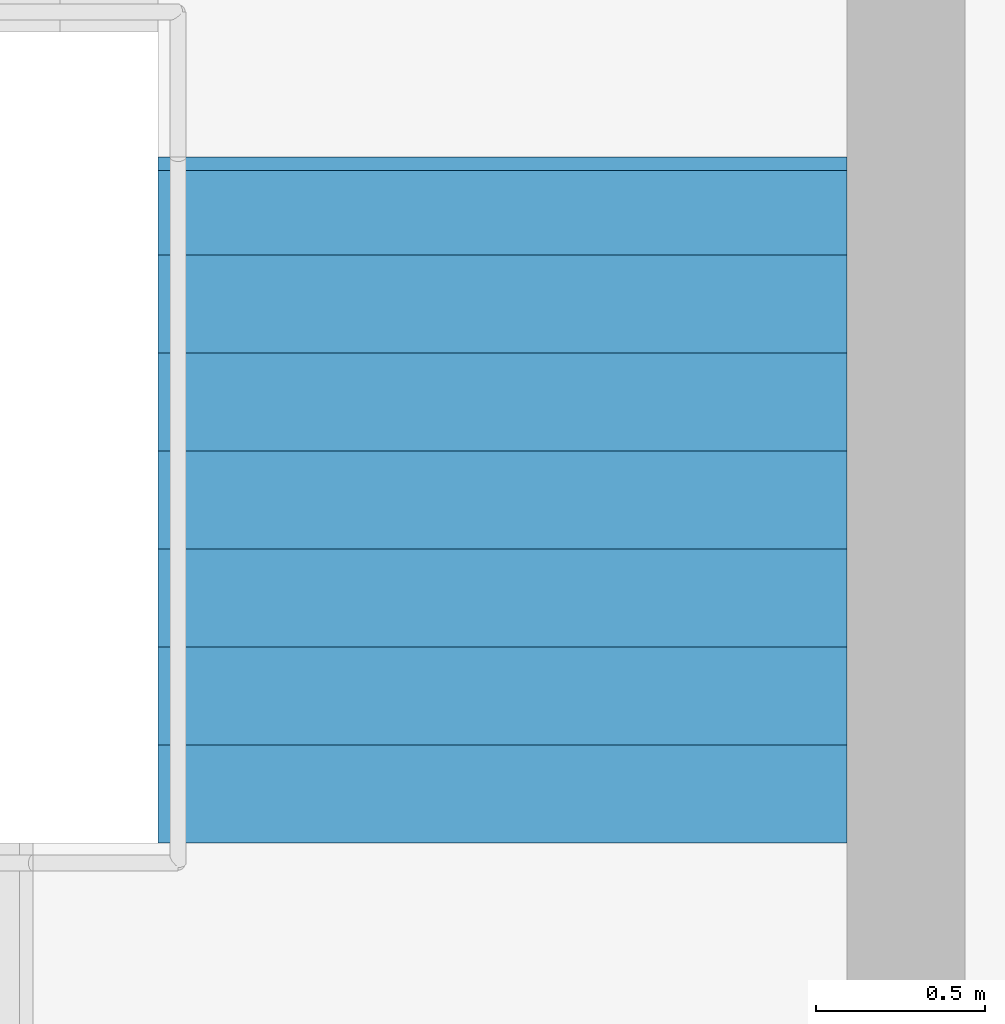
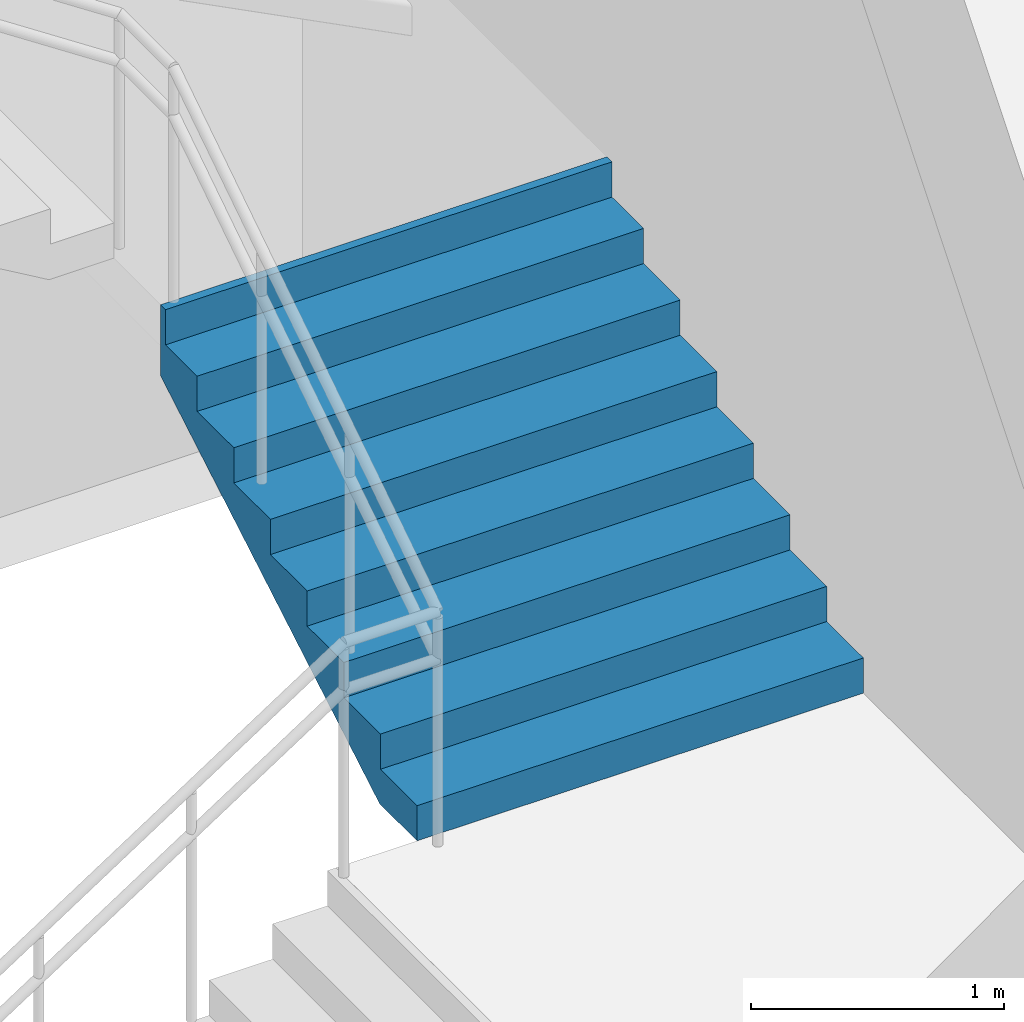
# One storey, part 65 of 67: 1 stair flight, 1 element without a shape of its own.
"""IFC4 building model written with IfcOpenShell, lengths in metres."""

import ifcopenshell
import ifcopenshell.guid

model = None  # the IFC model being written
_history = None  # IfcOwnerHistory: only IFC2X3 demands one
_inside = {}  # id of a spatial element -> (the spatial element, [elements in it])
_under = {}  # id of a project, library or spatial element -> (it, [spatial elements below it])
_declared = {}  # id of a project -> (the project, [libraries it declares])
_typed = {}  # id of a type object -> (the type object, [elements of that type])
_made_of = {}  # id of a material, layer set ... -> (it, [elements and type objects made of it])


def new_model(schema):
    """Start an empty IFC model of exactly this schema.

    Asked for "IFC4X3", IfcOpenShell would pick the latest addendum, in which some entities
    have other attributes; the version numbers below select the first issue.
    IFC2X3 requires an IfcOwnerHistory on every rooted entity: one is made here for all.
    """
    global model, _history
    if schema == "IFC4X3":
        model = ifcopenshell.file(schema_version=(4, 3, 0, 0))
    else:
        model = ifcopenshell.file(schema=schema)
    _inside.clear()
    _under.clear()
    _declared.clear()
    _typed.clear()
    _made_of.clear()
    _history = None
    if model.schema == "IFC2X3":
        org = make("IfcOrganization", Name="unknown")
        user = make(
            "IfcPersonAndOrganization",
            ThePerson=make("IfcPerson", FamilyName="unknown"),
            TheOrganization=org,
        )
        app = make(
            "IfcApplication",
            ApplicationDeveloper=org,
            Version="unknown",
            ApplicationFullName="unknown",
            ApplicationIdentifier="unknown",
        )
        _history = make(
            "IfcOwnerHistory",
            OwningUser=user,
            OwningApplication=app,
            ChangeAction="ADDED",
            CreationDate=0,
        )
    return model


def make(cls, **values):
    """One entity of the class cls with the attributes given. An attribute that is None is left unset."""
    return model.create_entity(
        cls, **{name: value for name, value in values.items() if value is not None}
    )


def rooted(cls, **values):
    """An entity with a GlobalId (a new one), such as an element, a storey or a relation."""
    return make(cls, GlobalId=ifcopenshell.guid.new(), OwnerHistory=_history, **values)


def si_unit(unit_type, name, prefix=None):
    """IfcSIUnit, for example si_unit("LENGTHUNIT", "METRE", prefix="MILLI")."""
    return make("IfcSIUnit", UnitType=unit_type, Prefix=prefix, Name=name)


def assignment(units):
    """IfcUnitAssignment: the units of a project."""
    return None if units is None else make("IfcUnitAssignment", Units=units)


def point(xyz):
    """IfcCartesianPoint."""
    return None if xyz is None else make("IfcCartesianPoint", Coordinates=xyz)


def direction(xyz):
    """IfcDirection."""
    return None if xyz is None else make("IfcDirection", DirectionRatios=xyz)


def frame(location, z_axis=None, x_axis=None):
    """IfcAxis2Placement3D, a coordinate frame: its origin and axes. An axis left out is left unset."""
    return make(
        "IfcAxis2Placement3D",
        Location=point(location),
        Axis=direction(z_axis),
        RefDirection=direction(x_axis),
    )


def origin():
    """The frame at (0, 0, 0) with its axes left unset."""
    return frame((0.0, 0.0, 0.0))


def place(relative_to, where):
    """IfcLocalPlacement: puts the frame where relative to a parent placement (None: the world)."""
    return make(
        "IfcLocalPlacement", PlacementRelTo=relative_to, RelativePlacement=where
    )


def context(
    kind, dimensions, precision=None, world=None, true_north=None, identifier=None
):
    """IfcGeometricRepresentationContext, for example the 3D "Model" context."""
    return make(
        "IfcGeometricRepresentationContext",
        ContextIdentifier=identifier,
        ContextType=kind,
        CoordinateSpaceDimension=dimensions,
        Precision=precision,
        WorldCoordinateSystem=world,
        TrueNorth=true_north,
    )


def subcontext(parent, identifier, kind, view, scale=None):
    """IfcGeometricRepresentationSubContext, for example "Body" below "Model"."""
    return make(
        "IfcGeometricRepresentationSubContext",
        ContextIdentifier=identifier,
        ContextType=kind,
        ParentContext=parent,
        TargetScale=scale,
        TargetView=view,
    )


def project(units=None, contexts=None):
    """IfcProject with its units and contexts."""
    return rooted(
        "IfcProject",
        Name="project",
        RepresentationContexts=contexts,
        UnitsInContext=assignment(units),
    )


def spatial(cls, under=None, at=None, **own):
    """A site, building, storey or space (cls), placed at a placement, below another one or the project."""
    s = rooted(cls, ObjectPlacement=at, **own)
    if under is not None:
        _under.setdefault(under.id(), (under, []))[1].append(s)
    return s


def point_list(points):
    """IfcCartesianPointList2D or 3D."""
    cls = (
        "IfcCartesianPointList2D" if len(points[0]) == 2 else "IfcCartesianPointList3D"
    )
    return make(cls, CoordList=points)


def triangles(points, corners, closed=None, point_numbers=None):
    """IfcTriangulatedFaceSet: each triangle names its three corners, points numbered from 1."""
    return make(
        "IfcTriangulatedFaceSet",
        Coordinates=point_list(points),
        Closed=closed,
        CoordIndex=corners,
        PnIndex=point_numbers,
    )


def shape(context_of_items, identifier, shape_type, items):
    """IfcShapeRepresentation: the items that make up one representation, for example the "Body"."""
    return make(
        "IfcShapeRepresentation",
        ContextOfItems=context_of_items,
        RepresentationIdentifier=identifier,
        RepresentationType=shape_type,
        Items=items,
    )


def material(Name=None, Category=None):
    """IfcMaterial."""
    return make("IfcMaterial", Name=Name, Category=Category)


def made_of(thing, what):
    """Note that an element or type object is made of a material, layer set ...; save() writes the relation."""
    if what is not None:
        _made_of.setdefault(what.id(), (what, []))[1].append(thing)
    return thing


def type_object(cls, material=None, **own):
    """A type object (cls), such as IfcWallType, which elements share."""
    return made_of(rooted(cls, **own), material)


def element(
    cls,
    number,
    at=None,
    inside=None,
    cuts=None,
    type_object=None,
    material=None,
    context=None,
    identifier="Body",
    shape_type=None,
    held_by="IfcProductDefinitionShape",
    body=None,
    shapes=None,
    **own,
):
    """One element of the class cls, such as IfcWall. Its Tag is "e" and its number.

    at: its placement. inside: the storey or other place that contains it. cuts: it is an
    opening in that element (IfcRelVoidsElement). A single representation is given by context,
    identifier, shape_type and body (its items); several are given by shapes. held_by: the class
    of the entity that holds the representations. save() writes the other relations.
    """
    e = rooted(cls, Tag="e%d" % number, ObjectPlacement=at, **own)
    if body is not None:
        shapes = [shape(context, identifier, shape_type, body)]
    if shapes is not None:
        e.Representation = make(held_by, Representations=shapes)
    if inside is not None:
        _inside.setdefault(inside.id(), (inside, []))[1].append(e)
    if cuts is not None:
        rooted(
            "IfcRelVoidsElement", RelatingBuildingElement=cuts, RelatedOpeningElement=e
        )
    if type_object is not None:
        _typed.setdefault(type_object.id(), (type_object, []))[1].append(e)
    return made_of(e, material)


def aggregate(whole, parts):
    """IfcRelAggregates: a whole, such as a stair, and the parts it consists of."""
    return rooted("IfcRelAggregates", RelatingObject=whole, RelatedObjects=parts)


def save(model, path):
    """Write the relations noted so far, then the file.

    IfcRelAggregates (storeys below a building ...), IfcRelContainedInSpatialStructure (elements
    in a storey), IfcRelDefinesByType, IfcRelAssociatesMaterial and IfcRelDeclares: one each for
    every whole, place, type object, material and project.
    """
    for whole, parts in _under.values():
        aggregate(whole, parts)
    for where, things in _inside.values():
        rooted(
            "IfcRelContainedInSpatialStructure",
            RelatedElements=things,
            RelatingStructure=where,
        )
    for kind, things in _typed.values():
        rooted("IfcRelDefinesByType", RelatedObjects=things, RelatingType=kind)
    for what, things in _made_of.values():
        rooted("IfcRelAssociatesMaterial", RelatedObjects=things, RelatingMaterial=what)
    for by, libraries in _declared.values():
        rooted("IfcRelDeclares", RelatingContext=by, RelatedDefinitions=libraries)
    model.write(path)


model = new_model("IFC4")

# Units and contexts
model_context = context("Model", 3, precision=1e-05, world=origin(), true_north=direction((0.0, 1.0)))
body_context = subcontext(model_context, "Body", "Model", "MODEL_VIEW")
ifc_project = project(units=[si_unit("LENGTHUNIT", "METRE"), si_unit("AREAUNIT", "SQUARE_METRE"), si_unit("VOLUMEUNIT", "CUBIC_METRE"), si_unit("PLANEANGLEUNIT", "RADIAN"), si_unit("MASSUNIT", "GRAM", prefix="KILO")], contexts=[model_context])

# Site, building, storey
site_placement = place(None, origin())
site = spatial("IfcSite", under=ifc_project, at=site_placement, CompositionType="ELEMENT")
building_placement = place(site_placement, origin())
building = spatial("IfcBuilding", under=site, at=building_placement, Name="Sillaruma Civic Art Gallery", CompositionType="ELEMENT")
storey_placement = place(building_placement, frame((0.0, 0.0, 46.919921875)))
storey = spatial("IfcBuildingStorey", under=building, at=storey_placement, Name="L09", CompositionType="ELEMENT", Elevation=46.919921875)

# Stair, stair flight
ifc_material = material(Name="Concrete H35 (35 MPa)", Category="concrete")
stair_type = type_object("IfcStairType", Name="STR-4F-30", PredefinedType="USERDEFINED", material=ifc_material)
stair_placement = place(storey_placement, origin())
stair = element("IfcStair", 1, at=stair_placement, inside=storey, type_object=stair_type, Name="Protected Exit Stair ST-02 (West Bar North) (L09)", ObjectType="THREE_RETURN_STAIR", PredefinedType="USERDEFINED")
stair_flight_type = type_object("IfcStairFlightType", Name="SFL-STR-8", PredefinedType="STRAIGHT", material=ifc_material)
stair_flight_placement = place(storey_placement, frame((68.219970703125, 82.949951171875, 1.360107421875), z_axis=(0.0, 0.0, 1.0), x_axis=(0.0, 1.0, 0.0)))
stair_flight = element("IfcStairFlight", 2, at=stair_flight_placement, type_object=stair_flight_type, Name="ST-02 flight 2", NumberOfRisers=8, NumberOfTreads=7, PredefinedType="STRAIGHT", RiserHeight=0.17, TreadLength=0.29, context=body_context, shape_type="Tessellation", body=[
    triangles([(0.0, -1.02001953125, 0.0), (0.29, -1.02001953125, 0.0), (0.296443, -1.02001953125, 0.0), (0.58, -1.02001953125, 0.166223), (0.87, -1.02001953125, 0.336223), (1.16, -1.02001953125, 0.506223), (1.45, -1.02001953125, 0.676223), (1.74, -1.02001953125, 0.846223), (1.990029, -1.02001953125, 0.992792), (2.030029, -1.02001953125, 1.01624), (2.030029, -1.02001953125, 1.36), (1.990029, -1.02001953125, 1.36), (1.990029, -1.02001953125, 1.19), (1.74, -1.02001953125, 1.19), (1.74, -1.02001953125, 1.02), (1.45, -1.02001953125, 1.02), (1.45, -1.02001953125, 0.85), (1.16, -1.02001953125, 0.85), (1.16, -1.02001953125, 0.68), (0.87, -1.02001953125, 0.68), (0.87, -1.02001953125, 0.51), (0.58, -1.02001953125, 0.51), (0.58, -1.02001953125, 0.34), (0.296443, -1.02001953125, 0.34), (0.29, -1.02001953125, 0.34), (0.29, -1.02001953125, 0.17), (0.0, -1.02001953125, 0.17), (0.0, -0.05, 0.0), (0.29, -0.05, 0.0), (0.296443, -0.05, 0.0), (0.58, -0.05, 0.166223), (0.87, -0.05, 0.336223), (1.16, -0.05, 0.506223), (1.45, -0.05, 0.676223), (1.74, -0.05, 0.846223), (1.990029, -0.05, 0.992792), (2.030029, -0.05, 1.01624), (2.030029, -0.05, 1.36), (1.990029, -0.05, 1.36), (1.990029, -0.05, 1.19), (1.74, -0.05, 1.19), (1.74, -0.05, 1.02), (1.45, -0.05, 1.02), (1.45, -0.05, 0.85), (1.16, -0.05, 0.85), (1.16, -0.05, 0.68), (0.87, -0.05, 0.68), (0.87, -0.05, 0.51), (0.58, -0.05, 0.51), (0.58, -0.05, 0.34), (0.296443, -0.05, 0.34), (0.29, -0.05, 0.34), (0.29, -0.05, 0.17), (0.0, -0.05, 0.17), (0.0, -0.0375, 0.0), (0.29, -0.0375, 0.0), (0.296443, -0.0375, 0.0), (0.58, -0.0375, 0.166223), (0.87, -0.0375, 0.336223), (1.16, -0.0375, 0.506223), (1.45, -0.0375, 0.676223), (1.74, -0.0375, 0.846223), (1.990029, -0.0375, 0.992792), (2.030029, -0.0375, 1.01624), (2.030029, -0.0375, 1.36), (1.990029, -0.0375, 1.36), (1.990029, -0.0375, 1.19), (1.74, -0.0375, 1.19), (1.74, -0.0375, 1.02), (1.45, -0.0375, 1.02), (1.45, -0.0375, 0.85), (1.16, -0.0375, 0.85), (1.16, -0.0375, 0.68), (0.87, -0.0375, 0.68), (0.87, -0.0375, 0.51), (0.58, -0.0375, 0.51), (0.58, -0.0375, 0.34), (0.296443, -0.0375, 0.34), (0.29, -0.0375, 0.34), (0.29, -0.0375, 0.17), (0.0, -0.0375, 0.17), (0.0, -0.025, 0.0), (0.29, -0.025, 0.0), (0.296443, -0.025, 0.0), (0.58, -0.025, 0.166223), (0.87, -0.025, 0.336223), (1.16, -0.025, 0.506223), (1.45, -0.025, 0.676223), (1.74, -0.025, 0.846223), (1.990029, -0.025, 0.992792), (2.030029, -0.025, 1.01624), (2.030029, -0.025, 1.36), (1.990029, -0.025, 1.36), (1.990029, -0.025, 1.19), (1.74, -0.025, 1.19), (1.74, -0.025, 1.02), (1.45, -0.025, 1.02), (1.45, -0.025, 0.85), (1.16, -0.025, 0.85), (1.16, -0.025, 0.68), (0.87, -0.025, 0.68), (0.87, -0.025, 0.51), (0.58, -0.025, 0.51), (0.58, -0.025, 0.34), (0.296443, -0.025, 0.34), (0.29, -0.025, 0.34), (0.29, -0.025, 0.17), (0.0, -0.025, 0.17), (0.0, -0.0125, 0.0), (0.29, -0.0125, 0.0), (0.296443, -0.0125, 0.0), (0.58, -0.0125, 0.166223), (0.87, -0.0125, 0.336223), (1.16, -0.0125, 0.506223), (1.45, -0.0125, 0.676223), (1.74, -0.0125, 0.846223), (1.990029, -0.0125, 0.992792), (2.030029, -0.0125, 1.01624), (2.030029, -0.0125, 1.36), (1.990029, -0.0125, 1.36), (1.990029, -0.0125, 1.19), (1.74, -0.0125, 1.19), (1.74, -0.0125, 1.02), (1.45, -0.0125, 1.02), (1.45, -0.0125, 0.85), (1.16, -0.0125, 0.85), (1.16, -0.0125, 0.68), (0.87, -0.0125, 0.68), (0.87, -0.0125, 0.51), (0.58, -0.0125, 0.51), (0.58, -0.0125, 0.34), (0.296443, -0.0125, 0.34), (0.29, -0.0125, 0.34), (0.29, -0.0125, 0.17), (0.0, -0.0125, 0.17), (0.0, 0.0, 0.0), (0.29, 0.0, 0.0), (0.296443, 0.0, 0.0), (0.58, 0.0, 0.166223), (0.87, 0.0, 0.336223), (1.16, 0.0, 0.506223), (1.45, 0.0, 0.676223), (1.74, 0.0, 0.846223), (1.990029, 0.0, 0.992792), (2.030029, 0.0, 1.01624), (2.030029, 0.0, 1.36), (1.990029, 0.0, 1.36), (1.990029, 0.0, 1.19), (1.74, 0.0, 1.19), (1.74, 0.0, 1.02), (1.45, 0.0, 1.02), (1.45, 0.0, 0.85), (1.16, 0.0, 0.85), (1.16, 0.0, 0.68), (0.87, 0.0, 0.68), (0.87, 0.0, 0.51), (0.58, 0.0, 0.51), (0.58, 0.0, 0.34), (0.296443, 0.0, 0.34), (0.29, 0.0, 0.34), (0.29, 0.0, 0.17), (0.0, 0.0, 0.17), (0.0, 0.0125, 0.0), (0.29, 0.0125, 0.0), (0.296443, 0.0125, 0.0), (0.58, 0.0125, 0.166223), (0.87, 0.0125, 0.336223), (1.16, 0.0125, 0.506223), (1.45, 0.0125, 0.676223), (1.74, 0.0125, 0.846223), (1.990029, 0.0125, 0.992792), (2.030029, 0.0125, 1.01624), (2.030029, 0.0125, 1.36), (1.990029, 0.0125, 1.36), (1.990029, 0.0125, 1.19), (1.74, 0.0125, 1.19), (1.74, 0.0125, 1.02), (1.45, 0.0125, 1.02), (1.45, 0.0125, 0.85), (1.16, 0.0125, 0.85), (1.16, 0.0125, 0.68), (0.87, 0.0125, 0.68), (0.87, 0.0125, 0.51), (0.58, 0.0125, 0.51), (0.58, 0.0125, 0.34), (0.296443, 0.0125, 0.34), (0.29, 0.0125, 0.34), (0.29, 0.0125, 0.17), (0.0, 0.0125, 0.17), (0.0, 0.025, 0.0), (0.29, 0.025, 0.0), (0.296443, 0.025, 0.0), (0.58, 0.025, 0.166223), (0.87, 0.025, 0.336223), (1.16, 0.025, 0.506223), (1.45, 0.025, 0.676223), (1.74, 0.025, 0.846223), (1.990029, 0.025, 0.992792), (2.030029, 0.025, 1.01624), (2.030029, 0.025, 1.36), (1.990029, 0.025, 1.36), (1.990029, 0.025, 1.19), (1.74, 0.025, 1.19), (1.74, 0.025, 1.02), (1.45, 0.025, 1.02), (1.45, 0.025, 0.85), (1.16, 0.025, 0.85), (1.16, 0.025, 0.68), (0.87, 0.025, 0.68), (0.87, 0.025, 0.51), (0.58, 0.025, 0.51), (0.58, 0.025, 0.34), (0.296443, 0.025, 0.34), (0.29, 0.025, 0.34), (0.29, 0.025, 0.17), (0.0, 0.025, 0.17), (0.0, 0.0375, 0.0), (0.29, 0.0375, 0.0), (0.296443, 0.0375, 0.0), (0.58, 0.0375, 0.166223), (0.87, 0.0375, 0.336223), (1.16, 0.0375, 0.506223), (1.45, 0.0375, 0.676223), (1.74, 0.0375, 0.846223), (1.990029, 0.0375, 0.992792), (2.030029, 0.0375, 1.01624), (2.030029, 0.0375, 1.36), (1.990029, 0.0375, 1.36), (1.990029, 0.0375, 1.19), (1.74, 0.0375, 1.19), (1.74, 0.0375, 1.02), (1.45, 0.0375, 1.02), (1.45, 0.0375, 0.85), (1.16, 0.0375, 0.85), (1.16, 0.0375, 0.68), (0.87, 0.0375, 0.68), (0.87, 0.0375, 0.51), (0.58, 0.0375, 0.51), (0.58, 0.0375, 0.34), (0.296443, 0.0375, 0.34), (0.29, 0.0375, 0.34), (0.29, 0.0375, 0.17), (0.0, 0.0375, 0.17), (0.0, 0.05, 0.0), (0.29, 0.05, 0.0), (0.296443, 0.05, 0.0), (0.58, 0.05, 0.166223), (0.87, 0.05, 0.336223), (1.16, 0.05, 0.506223), (1.45, 0.05, 0.676223), (1.74, 0.05, 0.846223), (1.990029, 0.05, 0.992792), (2.030029, 0.05, 1.01624), (2.030029, 0.05, 1.36), (1.990029, 0.05, 1.36), (1.990029, 0.05, 1.19), (1.74, 0.05, 1.19), (1.74, 0.05, 1.02), (1.45, 0.05, 1.02), (1.45, 0.05, 0.85), (1.16, 0.05, 0.85), (1.16, 0.05, 0.68), (0.87, 0.05, 0.68), (0.87, 0.05, 0.51), (0.58, 0.05, 0.51), (0.58, 0.05, 0.34), (0.296443, 0.05, 0.34), (0.29, 0.05, 0.34), (0.29, 0.05, 0.17), (0.0, 0.05, 0.17), (0.0, 1.02001953125, 0.0), (0.29, 1.02001953125, 0.0), (0.296443, 1.02001953125, 0.0), (0.58, 1.02001953125, 0.166223), (0.87, 1.02001953125, 0.336223), (1.16, 1.02001953125, 0.506223), (1.45, 1.02001953125, 0.676223), (1.74, 1.02001953125, 0.846223), (1.990029, 1.02001953125, 0.992792), (2.030029, 1.02001953125, 1.01624), (2.030029, 1.02001953125, 1.36), (1.990029, 1.02001953125, 1.36), (1.990029, 1.02001953125, 1.19), (1.74, 1.02001953125, 1.19), (1.74, 1.02001953125, 1.02), (1.45, 1.02001953125, 1.02), (1.45, 1.02001953125, 0.85), (1.16, 1.02001953125, 0.85), (1.16, 1.02001953125, 0.68), (0.87, 1.02001953125, 0.68), (0.87, 1.02001953125, 0.51), (0.58, 1.02001953125, 0.51), (0.58, 1.02001953125, 0.34), (0.296443, 1.02001953125, 0.34), (0.29, 1.02001953125, 0.34), (0.29, 1.02001953125, 0.17), (0.0, 1.02001953125, 0.17)], [[1, 2, 26], [1, 26, 27], [2, 3, 24], [2, 24, 26], [26, 24, 25], [3, 4, 23], [3, 23, 24], [4, 5, 21], [4, 21, 23], [23, 21, 22], [5, 6, 19], [5, 19, 21], [21, 19, 20], [6, 7, 17], [6, 17, 19], [19, 17, 18], [7, 8, 15], [7, 15, 17], [17, 15, 16], [8, 9, 13], [8, 13, 15], [15, 13, 14], [9, 10, 11], [9, 11, 13], [13, 11, 12], [296, 272, 271], [297, 296, 271], [294, 273, 272], [296, 294, 272], [295, 294, 296], [293, 274, 273], [294, 293, 273], [291, 275, 274], [293, 291, 274], [292, 291, 293], [289, 276, 275], [291, 289, 275], [290, 289, 291], [287, 277, 276], [289, 287, 276], [288, 287, 289], [285, 278, 277], [287, 285, 277], [286, 285, 287], [283, 279, 278], [285, 283, 278], [284, 283, 285], [281, 280, 279], [283, 281, 279], [282, 281, 283], [2, 1, 28], [2, 28, 29], [3, 2, 29], [3, 29, 30], [4, 3, 30], [4, 30, 31], [5, 4, 31], [5, 31, 32], [6, 5, 32], [6, 32, 33], [7, 6, 33], [7, 33, 34], [8, 7, 34], [8, 34, 35], [9, 8, 35], [9, 35, 36], [10, 9, 36], [10, 36, 37], [11, 10, 37], [11, 37, 38], [12, 11, 38], [12, 38, 39], [13, 12, 39], [13, 39, 40], [14, 13, 40], [14, 40, 41], [15, 14, 41], [15, 41, 42], [16, 15, 42], [16, 42, 43], [17, 16, 43], [17, 43, 44], [18, 17, 44], [18, 44, 45], [19, 18, 45], [19, 45, 46], [20, 19, 46], [20, 46, 47], [21, 20, 47], [21, 47, 48], [22, 21, 48], [22, 48, 49], [23, 22, 49], [23, 49, 50], [24, 23, 50], [24, 50, 51], [25, 24, 51], [25, 51, 52], [26, 25, 52], [26, 52, 53], [27, 26, 53], [27, 53, 54], [1, 27, 54], [1, 54, 28], [29, 28, 55], [29, 55, 56], [30, 29, 56], [30, 56, 57], [31, 30, 57], [31, 57, 58], [32, 31, 58], [32, 58, 59], [33, 32, 59], [33, 59, 60], [34, 33, 60], [34, 60, 61], [35, 34, 61], [35, 61, 62], [36, 35, 62], [36, 62, 63], [37, 36, 63], [37, 63, 64], [38, 37, 64], [38, 64, 65], [39, 38, 65], [39, 65, 66], [40, 39, 66], [40, 66, 67], [41, 40, 67], [41, 67, 68], [42, 41, 68], [42, 68, 69], [43, 42, 69], [43, 69, 70], [44, 43, 70], [44, 70, 71], [45, 44, 71], [45, 71, 72], [46, 45, 72], [46, 72, 73], [47, 46, 73], [47, 73, 74], [48, 47, 74], [48, 74, 75], [49, 48, 75], [49, 75, 76], [50, 49, 76], [50, 76, 77], [51, 50, 77], [51, 77, 78], [52, 51, 78], [52, 78, 79], [53, 52, 79], [53, 79, 80], [54, 53, 80], [54, 80, 81], [28, 54, 81], [28, 81, 55], [56, 55, 82], [56, 82, 83], [57, 56, 83], [57, 83, 84], [58, 57, 84], [58, 84, 85], [59, 58, 85], [59, 85, 86], [60, 59, 86], [60, 86, 87], [61, 60, 87], [61, 87, 88], [62, 61, 88], [62, 88, 89], [63, 62, 89], [63, 89, 90], [64, 63, 90], [64, 90, 91], [65, 64, 91], [65, 91, 92], [66, 65, 92], [66, 92, 93], [67, 66, 93], [67, 93, 94], [68, 67, 94], [68, 94, 95], [69, 68, 95], [69, 95, 96], [70, 69, 96], [70, 96, 97], [71, 70, 97], [71, 97, 98], [72, 71, 98], [72, 98, 99], [73, 72, 99], [73, 99, 100], [74, 73, 100], [74, 100, 101], [75, 74, 101], [75, 101, 102], [76, 75, 102], [76, 102, 103], [77, 76, 103], [77, 103, 104], [78, 77, 104], [78, 104, 105], [79, 78, 105], [79, 105, 106], [80, 79, 106], [80, 106, 107], [81, 80, 107], [81, 107, 108], [55, 81, 108], [55, 108, 82], [83, 82, 109], [83, 109, 110], [84, 83, 110], [84, 110, 111], [85, 84, 111], [85, 111, 112], [86, 85, 112], [86, 112, 113], [87, 86, 113], [87, 113, 114], [88, 87, 114], [88, 114, 115], [89, 88, 115], [89, 115, 116], [90, 89, 116], [90, 116, 117], [91, 90, 117], [91, 117, 118], [92, 91, 118], [92, 118, 119], [93, 92, 119], [93, 119, 120], [94, 93, 120], [94, 120, 121], [95, 94, 121], [95, 121, 122], [96, 95, 122], [96, 122, 123], [97, 96, 123], [97, 123, 124], [98, 97, 124], [98, 124, 125], [99, 98, 125], [99, 125, 126], [100, 99, 126], [100, 126, 127], [101, 100, 127], [101, 127, 128], [102, 101, 128], [102, 128, 129], [103, 102, 129], [103, 129, 130], [104, 103, 130], [104, 130, 131], [105, 104, 131], [105, 131, 132], [106, 105, 132], [106, 132, 133], [107, 106, 133], [107, 133, 134], [108, 107, 134], [108, 134, 135], [82, 108, 135], [82, 135, 109], [110, 109, 136], [110, 136, 137], [111, 110, 137], [111, 137, 138], [112, 111, 138], [112, 138, 139], [113, 112, 139], [113, 139, 140], [114, 113, 140], [114, 140, 141], [115, 114, 141], [115, 141, 142], [116, 115, 142], [116, 142, 143], [117, 116, 143], [117, 143, 144], [118, 117, 144], [118, 144, 145], [119, 118, 145], [119, 145, 146], [120, 119, 146], [120, 146, 147], [121, 120, 147], [121, 147, 148], [122, 121, 148], [122, 148, 149], [123, 122, 149], [123, 149, 150], [124, 123, 150], [124, 150, 151], [125, 124, 151], [125, 151, 152], [126, 125, 152], [126, 152, 153], [127, 126, 153], [127, 153, 154], [128, 127, 154], [128, 154, 155], [129, 128, 155], [129, 155, 156], [130, 129, 156], [130, 156, 157], [131, 130, 157], [131, 157, 158], [132, 131, 158], [132, 158, 159], [133, 132, 159], [133, 159, 160], [134, 133, 160], [134, 160, 161], [135, 134, 161], [135, 161, 162], [109, 135, 162], [109, 162, 136], [137, 136, 163], [137, 163, 164], [138, 137, 164], [138, 164, 165], [139, 138, 165], [139, 165, 166], [140, 139, 166], [140, 166, 167], [141, 140, 167], [141, 167, 168], [142, 141, 168], [142, 168, 169], [143, 142, 169], [143, 169, 170], [144, 143, 170], [144, 170, 171], [145, 144, 171], [145, 171, 172], [146, 145, 172], [146, 172, 173], [147, 146, 173], [147, 173, 174], [148, 147, 174], [148, 174, 175], [149, 148, 175], [149, 175, 176], [150, 149, 176], [150, 176, 177], [151, 150, 177], [151, 177, 178], [152, 151, 178], [152, 178, 179], [153, 152, 179], [153, 179, 180], [154, 153, 180], [154, 180, 181], [155, 154, 181], [155, 181, 182], [156, 155, 182], [156, 182, 183], [157, 156, 183], [157, 183, 184], [158, 157, 184], [158, 184, 185], [159, 158, 185], [159, 185, 186], [160, 159, 186], [160, 186, 187], [161, 160, 187], [161, 187, 188], [162, 161, 188], [162, 188, 189], [136, 162, 189], [136, 189, 163], [164, 163, 190], [164, 190, 191], [165, 164, 191], [165, 191, 192], [166, 165, 192], [166, 192, 193], [167, 166, 193], [167, 193, 194], [168, 167, 194], [168, 194, 195], [169, 168, 195], [169, 195, 196], [170, 169, 196], [170, 196, 197], [171, 170, 197], [171, 197, 198], [172, 171, 198], [172, 198, 199], [173, 172, 199], [173, 199, 200], [174, 173, 200], [174, 200, 201], [175, 174, 201], [175, 201, 202], [176, 175, 202], [176, 202, 203], [177, 176, 203], [177, 203, 204], [178, 177, 204], [178, 204, 205], [179, 178, 205], [179, 205, 206], [180, 179, 206], [180, 206, 207], [181, 180, 207], [181, 207, 208], [182, 181, 208], [182, 208, 209], [183, 182, 209], [183, 209, 210], [184, 183, 210], [184, 210, 211], [185, 184, 211], [185, 211, 212], [186, 185, 212], [186, 212, 213], [187, 186, 213], [187, 213, 214], [188, 187, 214], [188, 214, 215], [189, 188, 215], [189, 215, 216], [163, 189, 216], [163, 216, 190], [191, 190, 217], [191, 217, 218], [192, 191, 218], [192, 218, 219], [193, 192, 219], [193, 219, 220], [194, 193, 220], [194, 220, 221], [195, 194, 221], [195, 221, 222], [196, 195, 222], [196, 222, 223], [197, 196, 223], [197, 223, 224], [198, 197, 224], [198, 224, 225], [199, 198, 225], [199, 225, 226], [200, 199, 226], [200, 226, 227], [201, 200, 227], [201, 227, 228], [202, 201, 228], [202, 228, 229], [203, 202, 229], [203, 229, 230], [204, 203, 230], [204, 230, 231], [205, 204, 231], [205, 231, 232], [206, 205, 232], [206, 232, 233], [207, 206, 233], [207, 233, 234], [208, 207, 234], [208, 234, 235], [209, 208, 235], [209, 235, 236], [210, 209, 236], [210, 236, 237], [211, 210, 237], [211, 237, 238], [212, 211, 238], [212, 238, 239], [213, 212, 239], [213, 239, 240], [214, 213, 240], [214, 240, 241], [215, 214, 241], [215, 241, 242], [216, 215, 242], [216, 242, 243], [190, 216, 243], [190, 243, 217], [218, 217, 244], [218, 244, 245], [219, 218, 245], [219, 245, 246], [220, 219, 246], [220, 246, 247], [221, 220, 247], [221, 247, 248], [222, 221, 248], [222, 248, 249], [223, 222, 249], [223, 249, 250], [224, 223, 250], [224, 250, 251], [225, 224, 251], [225, 251, 252], [226, 225, 252], [226, 252, 253], [227, 226, 253], [227, 253, 254], [228, 227, 254], [228, 254, 255], [229, 228, 255], [229, 255, 256], [230, 229, 256], [230, 256, 257], [231, 230, 257], [231, 257, 258], [232, 231, 258], [232, 258, 259], [233, 232, 259], [233, 259, 260], [234, 233, 260], [234, 260, 261], [235, 234, 261], [235, 261, 262], [236, 235, 262], [236, 262, 263], [237, 236, 263], [237, 263, 264], [238, 237, 264], [238, 264, 265], [239, 238, 265], [239, 265, 266], [240, 239, 266], [240, 266, 267], [241, 240, 267], [241, 267, 268], [242, 241, 268], [242, 268, 269], [243, 242, 269], [243, 269, 270], [217, 243, 270], [217, 270, 244], [245, 244, 271], [245, 271, 272], [246, 245, 272], [246, 272, 273], [247, 246, 273], [247, 273, 274], [248, 247, 274], [248, 274, 275], [249, 248, 275], [249, 275, 276], [250, 249, 276], [250, 276, 277], [251, 250, 277], [251, 277, 278], [252, 251, 278], [252, 278, 279], [253, 252, 279], [253, 279, 280], [254, 253, 280], [254, 280, 281], [255, 254, 281], [255, 281, 282], [256, 255, 282], [256, 282, 283], [257, 256, 283], [257, 283, 284], [258, 257, 284], [258, 284, 285], [259, 258, 285], [259, 285, 286], [260, 259, 286], [260, 286, 287], [261, 260, 287], [261, 287, 288], [262, 261, 288], [262, 288, 289], [263, 262, 289], [263, 289, 290], [264, 263, 290], [264, 290, 291], [265, 264, 291], [265, 291, 292], [266, 265, 292], [266, 292, 293], [267, 266, 293], [267, 293, 294], [268, 267, 294], [268, 294, 295], [269, 268, 295], [269, 295, 296], [270, 269, 296], [270, 296, 297], [244, 270, 297], [244, 297, 271]], closed=True),
])
aggregate(stair, [stair_flight])

save(model, "model.ifc")
